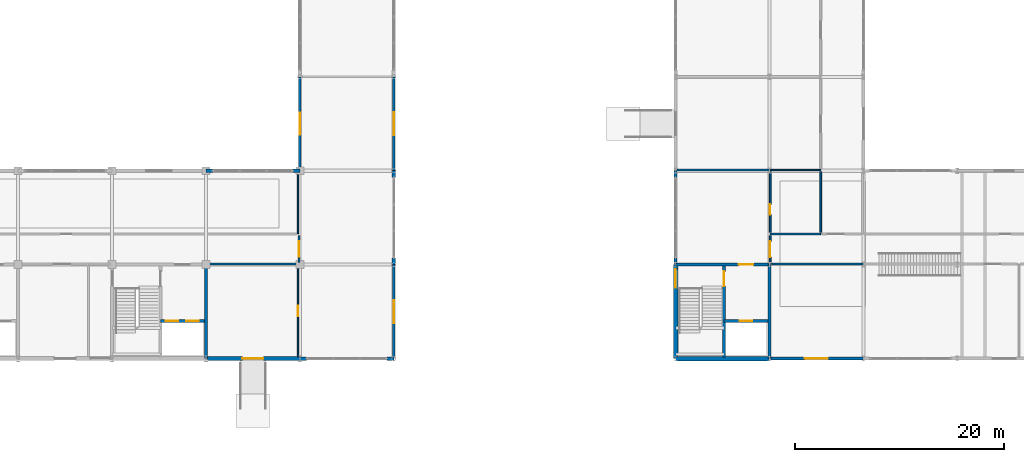
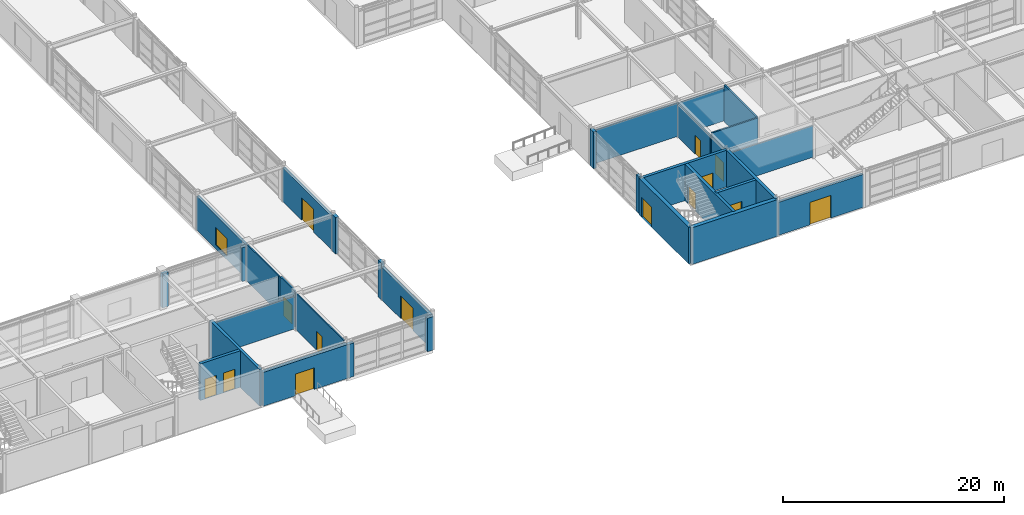
# One storey, part 58 of 72: 32 walls, 14 doors, 1 window, 15 openings.
"""IFC4 building model written with IfcOpenShell, lengths in metres."""

from ifc_helpers import new_model, si_unit, direction, frame, frame_2d, origin, place, context, subcontext, project, spatial, rectangle, extrude, material, layer, layer_set, type_object, element, fill, save


model = new_model("IFC4")

# Units and contexts
model_context = context("Model", 3, precision=1e-05, world=origin(), true_north=direction((0.0, 1.0)))
body_context = subcontext(model_context, "Body", "Model", "MODEL_VIEW")
ifc_project = project(units=[si_unit("LENGTHUNIT", "METRE"), si_unit("AREAUNIT", "SQUARE_METRE"), si_unit("VOLUMEUNIT", "CUBIC_METRE"), si_unit("PLANEANGLEUNIT", "RADIAN"), si_unit("MASSUNIT", "GRAM", prefix="KILO")], contexts=[model_context])

# Site, building, storey
site_placement = place(None, origin())
site = spatial("IfcSite", under=ifc_project, at=site_placement, CompositionType="ELEMENT")
building_placement = place(site_placement, origin())
building = spatial("IfcBuilding", under=site, at=building_placement, Name="Palais des Congres Ocreval", CompositionType="ELEMENT")
storey_placement = place(building_placement, origin())
storey = spatial("IfcBuildingStorey", under=building, at=storey_placement, Name="L00", CompositionType="ELEMENT", Elevation=0.0)

# Wall
ifc_material_1 = material(Name="Concrete C40/50", Category="concrete")
ifc_layer_1 = layer(ifc_material_1, 0.419921875)
ifc_layer_set_1 = layer_set([ifc_layer_1], Name="Congress Stone Facade Wall 420 Concrete C40/50")
wall_type_1 = type_object("IfcWallType", Name="Congress Stone Facade Wall 420 Concrete C40/50", PredefinedType="SOLIDWALL", material=ifc_layer_set_1)
wall_1_placement = place(storey_placement, frame((117.0, 0.0, 0.0), z_axis=(0.0, 0.0, 1.0), x_axis=(-1.0, 0.0, 0.0)))
element("IfcWall", 1, at=wall_1_placement, inside=storey, type_object=wall_type_1, Name="Core Perimeter Shear Wall EW02 SC09 L00", PredefinedType="SOLIDWALL", context=body_context, shape_type="SweptSolid", body=[
    extrude(rectangle(XDim=9.0, YDim=0.419921875, at=frame_2d((4.5, 0.0))), origin(), (0.0, 0.0, 1.0), 4.054931640625),
])

# Wall, opening, door
wall_2_placement = place(storey_placement, frame((108.0, 0.0, 0.0), z_axis=(0.0, 0.0, 1.0), x_axis=(0.0, 1.0, 0.0)))
wall_2 = element("IfcWall", 2, at=wall_2_placement, inside=storey, type_object=wall_type_1, Name="Core Perimeter Shear Wall EW02 SC09 L00", PredefinedType="SOLIDWALL", context=body_context, shape_type="SweptSolid", body=[
    extrude(rectangle(XDim=9.0, YDim=0.419921875, at=frame_2d((4.5, 0.0))), origin(), (0.0, 0.0, 1.0), 4.054931640625),
])
opening_1_placement = place(wall_2_placement, frame((6.77490234375, 0.0, 0.0)))
opening_1 = element("IfcOpeningElement", 3, at=opening_1_placement, cuts=wall_2, Name="Opening ED04", PredefinedType="OPENING", context=body_context, shape_type="SweptSolid", body=[
    extrude(rectangle(XDim=1.800048828125, YDim=2.199951171875, at=frame_2d((0.89990234375, 1.10009765625))), frame((0.0, 0.219970703125, 0.0), z_axis=(0.0, -1.0, 0.0), x_axis=(1.0, 0.0, 0.0)), (0.0, 0.0, 1.0), 0.43994140625),
])
ifc_material_2 = material(Name="Anodized bronze aluminium and safety glass", Category="aluminium")
door_type_1 = type_object("IfcDoorType", Name="Stair Street Discharge Door 1800x2200", OperationType="NOTDEFINED", PredefinedType="DOOR", material=ifc_material_2)
door_1_placement = place(opening_1_placement, origin())
door_1 = element("IfcDoor", 4, at=door_1_placement, inside=storey, type_object=door_type_1, Name="Stair Final Exit Discharge Door ST09", OperationType="DOUBLE_DOOR_SINGLE_SWING", OverallHeight=2.199951171875, OverallWidth=1.800048828125, PredefinedType="DOOR", context=body_context, shape_type="SweptSolid", body=[
    extrude(rectangle(XDim=1.800048828125, YDim=2.199951171875, at=frame_2d((0.89990234375, 1.10009765625))), frame((0.0, 0.02490234375, 0.0), z_axis=(0.0, -1.0, 0.0), x_axis=(1.0, 0.0, 0.0)), (0.0, 0.0, 1.0), 0.050048828125),
])
fill(opening_1, door_1)

# Wall
ifc_layer_2 = layer(ifc_material_1, 0.300048828125)
ifc_layer_set_2 = layer_set([ifc_layer_2], Name="Core Shear Wall 300 Concrete C40/50")
wall_type_2 = type_object("IfcWallType", Name="Core Shear Wall 300 Concrete C40/50", PredefinedType="SHEAR", material=ifc_layer_set_2)
wall_3_placement = place(storey_placement, frame((63.0, 0.0, 0.0), z_axis=(0.0, 0.0, 1.0), x_axis=(0.0, 1.0, 0.0)))
element("IfcWall", 5, at=wall_3_placement, inside=storey, type_object=wall_type_2, Name="Core Shear Wall SC04 L00 E", PredefinedType="SHEAR", context=body_context, shape_type="SweptSolid", body=[
    extrude(rectangle(XDim=9.0, YDim=0.300048828125, at=frame_2d((4.5, 0.0))), origin(), (0.0, 0.0, 1.0), 4.054931640625),
])

# Wall, openings, doors
wall_4_placement = place(storey_placement, frame((58.64990234375, 3.60009765625, 0.0), z_axis=(0.0, 0.0, 1.0), x_axis=(1.0, 0.0, 0.0)))
wall_4 = element("IfcWall", 6, at=wall_4_placement, inside=storey, type_object=wall_type_2, Name="Lift Shaft Front Wall SC04 L00", PredefinedType="SHEAR", context=body_context, shape_type="SweptSolid", body=[
    extrude(rectangle(XDim=4.2001953125, YDim=0.300048828125, at=frame_2d((2.10009765625, 0.0))), origin(), (0.0, 0.0, 1.0), 4.054931640625),
])
opening_2_placement = place(wall_4_placement, frame((0.5, 0.0, 0.0)))
opening_2 = element("IfcOpeningElement", 7, at=opening_2_placement, cuts=wall_4, Name="Opening LD02", PredefinedType="OPENING", context=body_context, shape_type="SweptSolid", body=[
    extrude(rectangle(XDim=1.199951171875, YDim=2.199951171875, at=frame_2d((0.60009765625, 1.10009765625))), frame((0.0, 0.159912109375, 0.0), z_axis=(0.0, -1.0, 0.0), x_axis=(1.0, 0.0, 0.0)), (0.0, 0.0, 1.0), 0.320068359375),
])
opening_3_placement = place(wall_4_placement, frame((2.449951171875, 0.0, 0.0)))
opening_3 = element("IfcOpeningElement", 8, at=opening_3_placement, cuts=wall_4, Name="Opening LD02", PredefinedType="OPENING", context=body_context, shape_type="SweptSolid", body=[
    extrude(rectangle(XDim=1.199951171875, YDim=2.199951171875, at=frame_2d((0.60009765625, 1.10009765625))), frame((0.0, 0.159912109375, 0.0), z_axis=(0.0, -1.0, 0.0), x_axis=(1.0, 0.0, 0.0)), (0.0, 0.0, 1.0), 0.320068359375),
])
ifc_material_3 = material(Name="Anodized bronze steel", Category="steel")
door_type_2 = type_object("IfcDoorType", Name="Passenger and Service Lift Sliding Door 1200x2200", OperationType="NOTDEFINED", PredefinedType="DOOR", material=ifc_material_3)
door_2_placement = place(opening_2_placement, origin())
door_2 = element("IfcDoor", 9, at=door_2_placement, inside=storey, type_object=door_type_2, Name="Lift Landing Sliding Door PL4 L00", OperationType="DOUBLE_DOOR_SLIDING", OverallHeight=2.199951171875, OverallWidth=1.199951171875, PredefinedType="DOOR", context=body_context, shape_type="SweptSolid", body=[
    extrude(rectangle(XDim=1.199951171875, YDim=2.199951171875, at=frame_2d((0.60009765625, 1.10009765625))), frame((0.0, 0.02490234375, 0.0), z_axis=(0.0, -1.0, 0.0), x_axis=(1.0, 0.0, 0.0)), (0.0, 0.0, 1.0), 0.050048828125),
])
fill(opening_2, door_2)
door_3_placement = place(opening_3_placement, origin())
door_3 = element("IfcDoor", 10, at=door_3_placement, inside=storey, type_object=door_type_2, Name="Lift Landing Sliding Door BL1 L00", OperationType="DOUBLE_DOOR_SLIDING", OverallHeight=2.199951171875, OverallWidth=1.199951171875, PredefinedType="DOOR", context=body_context, shape_type="SweptSolid", body=[
    extrude(rectangle(XDim=1.199951171875, YDim=2.199951171875, at=frame_2d((0.60009765625, 1.10009765625))), frame((0.0, 0.02490234375, 0.0), z_axis=(0.0, -1.0, 0.0), x_axis=(1.0, 0.0, 0.0)), (0.0, 0.0, 1.0), 0.050048828125),
])
fill(opening_3, door_3)

# Wall
wall_5_placement = place(storey_placement, frame((117.0, 0.0, 0.0), z_axis=(0.0, 0.0, 1.0), x_axis=(0.0, 1.0, 0.0)))
element("IfcWall", 11, at=wall_5_placement, inside=storey, type_object=wall_type_2, Name="Core Shear Wall SC09 L00 E", PredefinedType="SHEAR", context=body_context, shape_type="SweptSolid", body=[
    extrude(rectangle(XDim=9.0, YDim=0.300048828125, at=frame_2d((4.5, 0.0))), origin(), (0.0, 0.0, 1.0), 4.054931640625),
])

# Wall, opening, door
wall_6_placement = place(storey_placement, frame((108.0, 9.0, 0.0), z_axis=(0.0, 0.0, 1.0), x_axis=(1.0, 0.0, 0.0)))
wall_6 = element("IfcWall", 12, at=wall_6_placement, inside=storey, type_object=wall_type_2, Name="Core Shear Wall SC09 L00 N", PredefinedType="SHEAR", context=body_context, shape_type="SweptSolid", body=[
    extrude(rectangle(XDim=9.0, YDim=0.300048828125, at=frame_2d((4.5, 0.0))), origin(), (0.0, 0.0, 1.0), 4.054931640625),
])
opening_4_placement = place(wall_6_placement, frame((6.050048828125, 0.0, 0.0)))
opening_4 = element("IfcOpeningElement", 13, at=opening_4_placement, cuts=wall_6, Name="Opening D03", PredefinedType="OPENING", context=body_context, shape_type="SweptSolid", body=[
    extrude(rectangle(XDim=1.39990234375, YDim=2.02001953125, at=frame_2d((0.699951171875, 1.010009765625))), frame((0.0, 0.159912109375, 0.0), z_axis=(0.0, -1.0, 0.0), x_axis=(1.0, 0.0, 0.0)), (0.0, 0.0, 1.0), 0.320068359375),
])
ifc_material_4 = material(Name="Painted fire-rated steel", Category="steel")
door_type_3 = type_object("IfcDoorType", Name="Core Lobby Rated Door 1400x2020", OperationType="NOTDEFINED", PredefinedType="DOOR", material=ifc_material_4)
door_4_placement = place(opening_4_placement, origin())
door_4 = element("IfcDoor", 14, at=door_4_placement, inside=storey, type_object=door_type_3, Name="Lobby Entrance Door SC09 L00", OperationType="DOUBLE_DOOR_SINGLE_SWING", OverallHeight=2.02001953125, OverallWidth=1.39990234375, PredefinedType="DOOR", context=body_context, shape_type="SweptSolid", body=[
    extrude(rectangle(XDim=1.39990234375, YDim=2.02001953125, at=frame_2d((0.699951171875, 1.010009765625))), frame((0.0, 0.02490234375, 0.0), z_axis=(0.0, -1.0, 0.0), x_axis=(1.0, 0.0, 0.0)), (0.0, 0.0, 1.0), 0.050048828125),
])
fill(opening_4, door_4)

wall_7_placement = place(storey_placement, frame((112.64990234375, 0.14990234375, 0.0), z_axis=(0.0, 0.0, 1.0), x_axis=(0.0, 1.0, 0.0)))
wall_7 = element("IfcWall", 15, at=wall_7_placement, inside=storey, type_object=wall_type_2, Name="Core Spine Shear Wall SC09 L00", PredefinedType="SHEAR", context=body_context, shape_type="SweptSolid", body=[
    extrude(rectangle(XDim=8.7001953125, YDim=0.300048828125, at=frame_2d((4.35009765625, 0.0))), origin(), (0.0, 0.0, 1.0), 4.054931640625),
])
opening_5_placement = place(wall_7_placement, frame((6.800048828125, 0.0, 0.0)))
opening_5 = element("IfcOpeningElement", 16, at=opening_5_placement, cuts=wall_7, Name="Opening D03", PredefinedType="OPENING", context=body_context, shape_type="SweptSolid", body=[
    extrude(rectangle(XDim=1.39990234375, YDim=2.02001953125, at=frame_2d((0.699951171875, 1.010009765625))), frame((0.0, 0.159912109375, 0.0), z_axis=(0.0, -1.0, 0.0), x_axis=(1.0, 0.0, 0.0)), (0.0, 0.0, 1.0), 0.320068359375),
])
door_5_placement = place(opening_5_placement, origin())
door_5 = element("IfcDoor", 17, at=door_5_placement, inside=storey, type_object=door_type_3, Name="Protected Exit Stair Door ST09 L00", OperationType="SINGLE_SWING_LEFT", OverallHeight=2.02001953125, OverallWidth=1.39990234375, PredefinedType="DOOR", context=body_context, shape_type="SweptSolid", body=[
    extrude(rectangle(XDim=1.39990234375, YDim=2.02001953125, at=frame_2d((0.699951171875, 1.010009765625))), frame((0.0, 0.02490234375, 0.0), z_axis=(0.0, -1.0, 0.0), x_axis=(1.0, 0.0, 0.0)), (0.0, 0.0, 1.0), 0.050048828125),
])
fill(opening_5, door_5)

wall_8_placement = place(storey_placement, frame((112.64990234375, 3.60009765625, 0.0), z_axis=(0.0, 0.0, 1.0), x_axis=(1.0, 0.0, 0.0)))
wall_8 = element("IfcWall", 18, at=wall_8_placement, inside=storey, type_object=wall_type_2, Name="Lift Shaft Front Wall SC09 L00", PredefinedType="SHEAR", context=body_context, shape_type="SweptSolid", body=[
    extrude(rectangle(XDim=4.2001953125, YDim=0.300048828125, at=frame_2d((2.10009765625, 0.0))), origin(), (0.0, 0.0, 1.0), 4.054931640625),
])
opening_6_placement = place(wall_8_placement, frame((1.5, 0.0, 0.0)))
opening_6 = element("IfcOpeningElement", 19, at=opening_6_placement, cuts=wall_8, Name="Opening LD02", PredefinedType="OPENING", context=body_context, shape_type="SweptSolid", body=[
    extrude(rectangle(XDim=1.199951171875, YDim=2.199951171875, at=frame_2d((0.60009765625, 1.10009765625))), frame((0.0, 0.159912109375, 0.0), z_axis=(0.0, -1.0, 0.0), x_axis=(1.0, 0.0, 0.0)), (0.0, 0.0, 1.0), 0.320068359375),
])
door_6_placement = place(opening_6_placement, origin())
door_6 = element("IfcDoor", 20, at=door_6_placement, inside=storey, type_object=door_type_2, Name="Lift Landing Sliding Door CL3 L00", OperationType="DOUBLE_DOOR_SLIDING", OverallHeight=2.199951171875, OverallWidth=1.199951171875, PredefinedType="DOOR", context=body_context, shape_type="SweptSolid", body=[
    extrude(rectangle(XDim=1.199951171875, YDim=2.199951171875, at=frame_2d((0.60009765625, 1.10009765625))), frame((0.0, 0.02490234375, 0.0), z_axis=(0.0, -1.0, 0.0), x_axis=(1.0, 0.0, 0.0)), (0.0, 0.0, 1.0), 0.050048828125),
])
fill(opening_6, door_6)

# Walls
ifc_material_5 = material(Name="Gypsum acoustic partition")
ifc_layer_3 = layer(ifc_material_5, 0.159912109375)
ifc_layer_set_3 = layer_set([ifc_layer_3], Name="Corridor Fire Partition 160 Gypsum (Gypsum acoustic partition)")
wall_type_3 = type_object("IfcWallType", Name="Corridor Fire Partition 160 Gypsum", PredefinedType="PARTITIONING", material=ifc_layer_set_3)
wall_9_placement = place(storey_placement, frame((63.155029296875, 9.06494140625, 0.0), z_axis=(0.0, 0.0, 1.0), x_axis=(1.0, 0.0, 0.0)))
element("IfcWall", 21, at=wall_9_placement, inside=storey, type_object=wall_type_3, Name="Interior Partition IW03 L00", PredefinedType="PARTITIONING", context=body_context, shape_type="SweptSolid", body=[
    extrude(rectangle(XDim=8.574951171875, YDim=0.159912109375, at=frame_2d((4.28759765625, 0.0))), origin(), (0.0, 0.0, 1.0), 3.614990234375),
])
wall_10_placement = place(storey_placement, frame((108.14501953125, 18.06494140625, 0.0), z_axis=(0.0, 0.0, 1.0), x_axis=(1.0, 0.0, 0.0)))
element("IfcWall", 22, at=wall_10_placement, inside=storey, type_object=wall_type_3, Name="Interior Partition IW03 L00", PredefinedType="PARTITIONING", context=body_context, shape_type="SweptSolid", body=[
    extrude(rectangle(XDim=8.9150390625, YDim=0.159912109375, at=frame_2d((4.45751953125, 0.0))), origin(), (0.0, 0.0, 1.0), 3.695068359375),
])
wall_11_placement = place(storey_placement, frame((117.070068359375, 11.93505859375, 0.0), z_axis=(0.0, 0.0, 1.0), x_axis=(1.0, 0.0, 0.0)))
element("IfcWall", 23, at=wall_11_placement, inside=storey, type_object=wall_type_3, Name="Interior Partition IW03 L00", PredefinedType="PARTITIONING", context=body_context, shape_type="SweptSolid", body=[
    extrude(rectangle(XDim=4.829833984375, YDim=0.159912109375, at=frame_2d((2.4150390625, 0.0))), origin(), (0.0, 0.0, 1.0), 4.054931640625),
])
wall_12_placement = place(storey_placement, frame((121.909912109375, 12.090087890625, 0.0), z_axis=(0.0, 0.0, 1.0), x_axis=(0.0, 1.0, 0.0)))
element("IfcWall", 24, at=wall_12_placement, inside=storey, type_object=wall_type_3, Name="Interior Partition IW03 L00", PredefinedType="PARTITIONING", context=body_context, shape_type="SweptSolid", body=[
    extrude(rectangle(XDim=5.81982421875, YDim=0.159912109375, at=frame_2d((2.909912109375, 0.0))), origin(), (0.0, 0.0, 1.0), 4.054931640625),
])

# Wall, opening, door
wall_13_placement = place(storey_placement, frame((71.909912109375, 9.219970703125, 0.0), z_axis=(0.0, 0.0, 1.0), x_axis=(0.0, 1.0, 0.0)))
wall_13 = element("IfcWall", 25, at=wall_13_placement, inside=storey, type_object=wall_type_3, Name="Interior Partition IW03 L00", PredefinedType="PARTITIONING", context=body_context, shape_type="SweptSolid", body=[
    extrude(rectangle(XDim=2.56005859375, YDim=0.159912109375, at=frame_2d((1.280029296875, 0.0))), origin(), (0.0, 0.0, 1.0), 4.054931640625),
])
opening_7_placement = place(wall_13_placement, frame((0.530029296875, 0.0, 0.0)))
opening_7 = element("IfcOpeningElement", 26, at=opening_7_placement, cuts=wall_13, Name="Opening D04", PredefinedType="OPENING", context=body_context, shape_type="SweptSolid", body=[
    extrude(rectangle(XDim=1.5, YDim=2.10009765625, at=frame_2d((0.75, 1.050048828125))), frame((0.0, 0.08984375, 0.0), z_axis=(0.0, -1.0, 0.0), x_axis=(1.0, 0.0, 0.0)), (0.0, 0.0, 1.0), 0.179931640625),
])
ifc_material_6 = material(Name="Solid French oak fire door", Category="wood")
door_type_4 = type_object("IfcDoorType", Name="Corridor Compartment Double Door 1500x2100", OperationType="NOTDEFINED", PredefinedType="DOOR", material=ifc_material_6)
door_7_placement = place(opening_7_placement, origin())
door_7 = element("IfcDoor", 27, at=door_7_placement, inside=storey, type_object=door_type_4, Name="Interior Door D04 L00", OperationType="DOUBLE_DOOR_SINGLE_SWING", OverallHeight=2.10009765625, OverallWidth=1.5, PredefinedType="DOOR", context=body_context, shape_type="SweptSolid", body=[
    extrude(rectangle(XDim=1.5, YDim=2.10009765625, at=frame_2d((0.75, 1.050048828125))), frame((0.0, 0.02490234375, 0.0), z_axis=(0.0, -1.0, 0.0), x_axis=(1.0, 0.0, 0.0)), (0.0, 0.0, 1.0), 0.050048828125),
])
fill(opening_7, door_7)

wall_14_placement = place(storey_placement, frame((117.06494140625, 9.155029296875, 0.0), z_axis=(0.0, 0.0, 1.0), x_axis=(0.0, 1.0, 0.0)))
wall_14 = element("IfcWall", 28, at=wall_14_placement, inside=storey, type_object=wall_type_3, Name="Interior Partition IW03 L00", PredefinedType="PARTITIONING", context=body_context, shape_type="SweptSolid", body=[
    extrude(rectangle(XDim=2.625, YDim=0.159912109375, at=frame_2d((1.3125, 0.0))), origin(), (0.0, 0.0, 1.0), 3.6650390625),
])
opening_8_placement = place(wall_14_placement, frame((0.5625, 0.0, 0.0)))
opening_8 = element("IfcOpeningElement", 29, at=opening_8_placement, cuts=wall_14, Name="Opening D04", PredefinedType="OPENING", context=body_context, shape_type="SweptSolid", body=[
    extrude(rectangle(XDim=1.5, YDim=2.10009765625, at=frame_2d((0.75, 1.050048828125))), frame((0.0, 0.08984375, 0.0), z_axis=(0.0, -1.0, 0.0), x_axis=(1.0, 0.0, 0.0)), (0.0, 0.0, 1.0), 0.179931640625),
])
door_8_placement = place(opening_8_placement, origin())
door_8 = element("IfcDoor", 30, at=door_8_placement, inside=storey, type_object=door_type_4, Name="Interior Door D04 L00", OperationType="DOUBLE_DOOR_SINGLE_SWING", OverallHeight=2.10009765625, OverallWidth=1.5, PredefinedType="DOOR", context=body_context, shape_type="SweptSolid", body=[
    extrude(rectangle(XDim=1.5, YDim=2.10009765625, at=frame_2d((0.75, 1.050048828125))), frame((0.0, 0.02490234375, 0.0), z_axis=(0.0, -1.0, 0.0), x_axis=(1.0, 0.0, 0.0)), (0.0, 0.0, 1.0), 0.050048828125),
])
fill(opening_8, door_8)

wall_15_placement = place(storey_placement, frame((117.06494140625, 12.090087890625, 0.0), z_axis=(0.0, 0.0, 1.0), x_axis=(0.0, 1.0, 0.0)))
wall_15 = element("IfcWall", 31, at=wall_15_placement, inside=storey, type_object=wall_type_3, Name="Interior Partition IW03 L00", PredefinedType="PARTITIONING", context=body_context, shape_type="SweptSolid", body=[
    extrude(rectangle(XDim=5.81982421875, YDim=0.159912109375, at=frame_2d((2.909912109375, 0.0))), origin(), (0.0, 0.0, 1.0), 3.6650390625),
])
opening_9_placement = place(wall_15_placement, frame((1.711669921875, 0.0, 0.0)))
opening_9 = element("IfcOpeningElement", 32, at=opening_9_placement, cuts=wall_15, Name="Opening D10", PredefinedType="OPENING", context=body_context, shape_type="SweptSolid", body=[
    extrude(rectangle(XDim=1.0, YDim=2.10009765625, at=frame_2d((0.5, 1.050048828125))), frame((0.0, 0.08984375, 0.0), z_axis=(0.0, -1.0, 0.0), x_axis=(1.0, 0.0, 0.0)), (0.0, 0.0, 1.0), 0.179931640625),
])
ifc_material_7 = material(Name="Painted steel", Category="steel")
door_type_5 = type_object("IfcDoorType", Name="Service and Pantry Door 1000x2100", OperationType="NOTDEFINED", PredefinedType="DOOR", material=ifc_material_7)
door_9_placement = place(opening_9_placement, origin())
door_9 = element("IfcDoor", 33, at=door_9_placement, inside=storey, type_object=door_type_5, Name="Interior Door D10 L00", OperationType="SINGLE_SWING_LEFT", OverallHeight=2.10009765625, OverallWidth=1.0, PredefinedType="DOOR", context=body_context, shape_type="SweptSolid", body=[
    extrude(rectangle(XDim=1.0, YDim=2.10009765625, at=frame_2d((0.5, 1.050048828125))), frame((0.0, 0.02490234375, 0.0), z_axis=(0.0, -1.0, 0.0), x_axis=(1.0, 0.0, 0.0)), (0.0, 0.0, 1.0), 0.050048828125),
])
fill(opening_9, door_9)

# Wall
wall_16_placement = place(storey_placement, frame((117.219970703125, 9.06494140625, 0.0), z_axis=(0.0, 0.0, 1.0), x_axis=(1.0, 0.0, 0.0)))
element("IfcWall", 34, at=wall_16_placement, inside=storey, type_object=wall_type_3, Name="Interior Partition IW03 L00", PredefinedType="PARTITIONING", context=body_context, shape_type="SweptSolid", body=[
    extrude(rectangle(XDim=8.760009765625, YDim=0.159912109375, at=frame_2d((4.3798828125, 0.0))), origin(), (0.0, 0.0, 1.0), 3.5048828125),
])

# Wall, opening, door
ifc_layer_4 = layer(ifc_material_1, 0.3798828125)
ifc_layer_set_4 = layer_set([ifc_layer_4], Name="Lutetian Limestone Street Wall 380 Concrete C40/50")
wall_type_4 = type_object("IfcWallType", Name="Lutetian Limestone Street Wall 380 Concrete C40/50", PredefinedType="SOLIDWALL", material=ifc_layer_set_4)
wall_17_placement = place(storey_placement, frame((72.0, 0.0, 0.0), z_axis=(0.0, 0.0, 1.0), x_axis=(-1.0, 0.0, 0.0)))
wall_17 = element("IfcWall", 35, at=wall_17_placement, inside=storey, type_object=wall_type_4, Name="Exterior Wall EW03 L00", PredefinedType="SOLIDWALL", context=body_context, shape_type="SweptSolid", body=[
    extrude(rectangle(XDim=8.8701171875, YDim=0.3798828125, at=frame_2d((4.43505859375, 0.0))), origin(), (0.0, 0.0, 1.0), 3.7548828125),
])
opening_10_placement = place(wall_17_placement, frame((3.5, 0.0, 0.0)))
opening_10 = element("IfcOpeningElement", 36, at=opening_10_placement, cuts=wall_17, Name="Opening ED01", PredefinedType="OPENING", context=body_context, shape_type="SweptSolid", body=[
    extrude(rectangle(XDim=2.0, YDim=2.39990234375, at=frame_2d((1.0, 1.199951171875))), frame((0.0, 0.199951171875, 0.0), z_axis=(0.0, -1.0, 0.0), x_axis=(1.0, 0.0, 0.0)), (0.0, 0.0, 1.0), 0.39990234375),
])
door_type_6 = type_object("IfcDoorType", Name="Main Street Pedestrian Exit Door 2000x2400", OperationType="NOTDEFINED", PredefinedType="DOOR", material=ifc_material_2)
door_10_placement = place(opening_10_placement, origin())
door_10 = element("IfcDoor", 37, at=door_10_placement, inside=storey, type_object=door_type_6, Name="Pedestrian Final Exit Door E01", OperationType="DOUBLE_DOOR_SINGLE_SWING", OverallHeight=2.39990234375, OverallWidth=2.0, PredefinedType="DOOR", context=body_context, shape_type="SweptSolid", body=[
    extrude(rectangle(XDim=2.0, YDim=2.39990234375, at=frame_2d((1.0, 1.199951171875))), frame((0.0, 0.02490234375, 0.0), z_axis=(0.0, -1.0, 0.0), x_axis=(1.0, 0.0, 0.0)), (0.0, 0.0, 1.0), 0.050048828125),
])
fill(opening_10, door_10)

# Walls
ifc_layer_5 = layer(ifc_material_1, 0.340087890625)
ifc_layer_set_5 = layer_set([ifc_layer_5], Name="Ochre Mineral-Lime Courtyard Wall 340 Concrete C40/50")
wall_type_5 = type_object("IfcWallType", Name="Ochre Mineral-Lime Courtyard Wall 340 Concrete C40/50", PredefinedType="SOLIDWALL", material=ifc_layer_set_5)
for number, where, z_axis, x_axis, name in (
    (38, (81.0, 18.0, 0.0), (0.0, 0.0, 1.0), (0.0, -1.0, 0.0), "Facade Pier EW04 L00"),
    (39, (81.0, 9.64990234375, 0.0), (0.0, 0.0, 1.0), (0.0, -1.0, 0.0), "Facade Pier EW04 L00"),
):
    element("IfcWall", number, at=place(storey_placement, frame(where, z_axis=z_axis, x_axis=x_axis)), inside=storey, type_object=wall_type_5, Name=name, PredefinedType="SOLIDWALL", context=body_context, shape_type="SweptSolid", body=[
        extrude(rectangle(XDim=0.64990234375, YDim=0.340087890625, at=frame_2d((0.324951171875, 0.0))), origin(), (0.0, 0.0, 1.0), 4.054931640625),
    ])
for number, where, z_axis, x_axis, name in (
    (40, (81.0, 0.0, 0.0), (0.0, 0.0, 1.0), (-1.0, 0.0, 0.0), "Facade Pier EW04 L00"),
    (41, (72.64990234375, 0.0, 0.0), (0.0, 0.0, 1.0), (-1.0, 0.0, 0.0), "Facade Pier EW04 L00"),
):
    element("IfcWall", number, at=place(storey_placement, frame(where, z_axis=z_axis, x_axis=x_axis)), inside=storey, type_object=wall_type_5, Name=name, PredefinedType="SOLIDWALL", context=body_context, shape_type="SweptSolid", body=[
        extrude(rectangle(XDim=0.64990234375, YDim=0.340087890625, at=frame_2d((0.324951171875, 0.0))), origin(), (0.0, 0.0, 1.0), 3.695068359375),
    ])
for number, where, z_axis, x_axis, name in (
    (42, (63.0, 18.0, 0.0), (0.0, 0.0, 1.0), (1.0, 0.0, 0.0), "Facade Pier EW04 L00"),
    (43, (71.35009765625, 18.0, 0.0), (0.0, 0.0, 1.0), (1.0, 0.0, 0.0), "Facade Pier EW04 L00"),
):
    element("IfcWall", number, at=place(storey_placement, frame(where, z_axis=z_axis, x_axis=x_axis)), inside=storey, type_object=wall_type_5, Name=name, PredefinedType="SOLIDWALL", context=body_context, shape_type="SweptSolid", body=[
        extrude(rectangle(XDim=0.64990234375, YDim=0.340087890625, at=frame_2d((0.324951171875, 0.0))), origin(), (0.0, 0.0, 1.0), 3.7548828125),
    ])

# Wall, opening, door
ifc_layer_6 = layer(ifc_material_1, 0.260009765625)
ifc_layer_set_6 = layer_set([ifc_layer_6], Name="Sawtooth Clerestory Wall 260 Concrete C40/50")
wall_type_6 = type_object("IfcWallType", Name="Sawtooth Clerestory Wall 260 Concrete C40/50", PredefinedType="SOLIDWALL", material=ifc_layer_set_6)
wall_18_placement = place(storey_placement, frame((81.0, 27.0, 0.0), z_axis=(0.0, 0.0, 1.0), x_axis=(0.0, -1.0, 0.0)))
wall_18 = element("IfcWall", 44, at=wall_18_placement, inside=storey, type_object=wall_type_6, Name="Exterior Wall EW06 L00", PredefinedType="SOLIDWALL", context=body_context, shape_type="SweptSolid", body=[
    extrude(rectangle(XDim=9.0, YDim=0.260009765625, at=frame_2d((4.5, 0.0))), origin(), (0.0, 0.0, 1.0), 3.7548828125),
])
opening_11_placement = place(wall_18_placement, frame((3.39990234375, 0.0, 0.0)))
opening_11 = element("IfcOpeningElement", 45, at=opening_11_placement, cuts=wall_18, Name="Opening ED02", PredefinedType="OPENING", context=body_context, shape_type="SweptSolid", body=[
    extrude(rectangle(XDim=2.199951171875, YDim=2.5, at=frame_2d((1.10009765625, 1.25))), frame((0.0, 0.139892578125, 0.0), z_axis=(0.0, -1.0, 0.0), x_axis=(1.0, 0.0, 0.0)), (0.0, 0.0, 1.0), 0.280029296875),
])
door_type_7 = type_object("IfcDoorType", Name="Congress Grand Final Exit Door 2200x2500", OperationType="NOTDEFINED", PredefinedType="DOOR", material=ifc_material_2)
door_11_placement = place(opening_11_placement, origin())
door_11 = element("IfcDoor", 46, at=door_11_placement, inside=storey, type_object=door_type_7, Name="Pedestrian Final Exit Door E39", OperationType="DOUBLE_DOOR_SINGLE_SWING", OverallHeight=2.5, OverallWidth=2.199951171875, PredefinedType="DOOR", context=body_context, shape_type="SweptSolid", body=[
    extrude(rectangle(XDim=2.199951171875, YDim=2.5, at=frame_2d((1.10009765625, 1.25))), frame((0.0, 0.02490234375, 0.0), z_axis=(0.0, -1.0, 0.0), x_axis=(1.0, 0.0, 0.0)), (0.0, 0.0, 1.0), 0.050048828125),
])
fill(opening_11, door_11)

wall_19_placement = place(storey_placement, frame((81.0, 9.0, 0.0), z_axis=(0.0, 0.0, 1.0), x_axis=(0.0, -1.0, 0.0)))
wall_19 = element("IfcWall", 47, at=wall_19_placement, inside=storey, type_object=wall_type_6, Name="Exterior Wall EW06 L00", PredefinedType="SOLIDWALL", context=body_context, shape_type="SweptSolid", body=[
    extrude(rectangle(XDim=8.844970703125, YDim=0.260009765625, at=frame_2d((4.42236328125, 0.0))), origin(), (0.0, 0.0, 1.0), 3.655029296875),
])
opening_12_placement = place(wall_19_placement, frame((3.39990234375, 0.0, 0.0)))
opening_12 = element("IfcOpeningElement", 48, at=opening_12_placement, cuts=wall_19, Name="Opening ED02", PredefinedType="OPENING", context=body_context, shape_type="SweptSolid", body=[
    extrude(rectangle(XDim=2.199951171875, YDim=2.5, at=frame_2d((1.10009765625, 1.25))), frame((0.0, 0.139892578125, 0.0), z_axis=(0.0, -1.0, 0.0), x_axis=(1.0, 0.0, 0.0)), (0.0, 0.0, 1.0), 0.280029296875),
])
door_12_placement = place(opening_12_placement, origin())
door_12 = element("IfcDoor", 49, at=door_12_placement, inside=storey, type_object=door_type_7, Name="Pedestrian Final Exit Door E40", OperationType="DOUBLE_DOOR_SINGLE_SWING", OverallHeight=2.5, OverallWidth=2.199951171875, PredefinedType="DOOR", context=body_context, shape_type="SweptSolid", body=[
    extrude(rectangle(XDim=2.199951171875, YDim=2.5, at=frame_2d((1.10009765625, 1.25))), frame((0.0, 0.02490234375, 0.0), z_axis=(0.0, -1.0, 0.0), x_axis=(1.0, 0.0, 0.0)), (0.0, 0.0, 1.0), 0.050048828125),
])
fill(opening_12, door_12)

# Wall, opening, window
wall_20_placement = place(storey_placement, frame((72.0, 18.155029296875, 0.0), z_axis=(0.0, 0.0, 1.0), x_axis=(0.0, 1.0, 0.0)))
wall_20 = element("IfcWall", 50, at=wall_20_placement, inside=storey, type_object=wall_type_6, Name="Exterior Wall EW06 L00", PredefinedType="SOLIDWALL", context=body_context, shape_type="SweptSolid", body=[
    extrude(rectangle(XDim=8.844970703125, YDim=0.260009765625, at=frame_2d((4.42236328125, 0.0))), origin(), (0.0, 0.0, 1.0), 3.7548828125),
])
opening_13_placement = place(wall_20_placement, frame((3.294921875, 0.0, 0.39990234375)))
opening_13 = element("IfcOpeningElement", 51, at=opening_13_placement, cuts=wall_20, Name="Opening WN05", PredefinedType="OPENING", context=body_context, shape_type="SweptSolid", body=[
    extrude(rectangle(XDim=2.10009765625, YDim=1.949951171875, at=frame_2d((1.050048828125, 0.97509765625))), frame((0.0, 0.139892578125, 0.0), z_axis=(0.0, -1.0, 0.0), x_axis=(1.0, 0.0, 0.0)), (0.0, 0.0, 1.0), 0.280029296875),
])
ifc_material_8 = material(Name="Anodized bronze aluminium and low-E glass", Category="glass")
window_type = type_object("IfcWindowType", Name="Junior Suite Window 2100x1950", PartitioningType="SINGLE_PANEL", PredefinedType="WINDOW", material=ifc_material_8)
window_placement = place(opening_13_placement, origin())
window = element("IfcWindow", 52, at=window_placement, inside=storey, type_object=window_type, Name="Facade Window WN05", OverallHeight=1.949951171875, OverallWidth=2.10009765625, PartitioningType="SINGLE_PANEL", PredefinedType="WINDOW", context=body_context, shape_type="SweptSolid", body=[
    extrude(rectangle(XDim=2.10009765625, YDim=1.949951171875, at=frame_2d((1.050048828125, 0.97509765625))), frame((0.0, 0.030029296875, 0.0), z_axis=(0.0, -1.0, 0.0), x_axis=(1.0, 0.0, 0.0)), (0.0, 0.0, 1.0), 0.06005859375),
])
fill(opening_13, window)

# Walls
ifc_material_9 = material(Name="Gypsum board partition")
ifc_layer_7 = layer(ifc_material_9, 0.1201171875)
ifc_layer_set_7 = layer_set([ifc_layer_7], Name="Suite Subdivision Partition 120 Gypsum (Gypsum board partition)")
wall_type_7 = type_object("IfcWallType", Name="Suite Subdivision Partition 120 Gypsum", PredefinedType="PARTITIONING", material=ifc_layer_set_7)
wall_21_placement = place(storey_placement, frame((71.824951171875, 11.93994140625, 0.0), z_axis=(0.0, 0.0, 1.0), x_axis=(0.0, 1.0, 0.0)))
element("IfcWall", 53, at=wall_21_placement, inside=storey, type_object=wall_type_7, Name="Interior Partition IW04 L00", PredefinedType="PARTITIONING", context=body_context, shape_type="SweptSolid", body=[
    extrude(rectangle(XDim=5.885009765625, YDim=0.1201171875, at=frame_2d((2.9423828125, 0.0))), origin(), (0.0, 0.0, 1.0), 4.054931640625),
])
wall_22_placement = place(storey_placement, frame((117.070068359375, 18.06494140625, 0.0), z_axis=(0.0, 0.0, 1.0), x_axis=(1.0, 0.0, 0.0)))
element("IfcWall", 54, at=wall_22_placement, inside=storey, type_object=wall_type_7, Name="Interior Partition IW04 L00", PredefinedType="PARTITIONING", context=body_context, shape_type="SweptSolid", body=[
    extrude(rectangle(XDim=4.829833984375, YDim=0.1201171875, at=frame_2d((2.4150390625, 0.0))), origin(), (0.0, 0.0, 1.0), 3.655029296875),
])

# Wall, opening, door
wall_23_placement = place(storey_placement, frame((71.824951171875, 0.175048828125, 0.0), z_axis=(0.0, 0.0, 1.0), x_axis=(0.0, 1.0, 0.0)))
wall_23 = element("IfcWall", 55, at=wall_23_placement, inside=storey, type_object=wall_type_7, Name="Interior Partition IW04 L00", PredefinedType="PARTITIONING", context=body_context, shape_type="SweptSolid", body=[
    extrude(rectangle(XDim=8.73486328125, YDim=0.1201171875, at=frame_2d((4.367431640625, 0.0))), origin(), (0.0, 0.0, 1.0), 4.054931640625),
])
opening_14_placement = place(wall_23_placement, frame((3.867431640625, 0.0, 0.0)))
opening_14 = element("IfcOpeningElement", 56, at=opening_14_placement, cuts=wall_23, Name="Opening D10", PredefinedType="OPENING", context=body_context, shape_type="SweptSolid", body=[
    extrude(rectangle(XDim=1.0, YDim=2.10009765625, at=frame_2d((0.5, 1.050048828125))), frame((0.0, 0.070068359375, 0.0), z_axis=(0.0, -1.0, 0.0), x_axis=(1.0, 0.0, 0.0)), (0.0, 0.0, 1.0), 0.14013671875),
])
door_13_placement = place(opening_14_placement, origin())
door_13 = element("IfcDoor", 57, at=door_13_placement, inside=storey, type_object=door_type_5, Name="Interior Door D10 L00", OperationType="SINGLE_SWING_LEFT", OverallHeight=2.10009765625, OverallWidth=1.0, PredefinedType="DOOR", context=body_context, shape_type="SweptSolid", body=[
    extrude(rectangle(XDim=1.0, YDim=2.10009765625, at=frame_2d((0.5, 1.050048828125))), frame((0.0, 0.02490234375, 0.0), z_axis=(0.0, -1.0, 0.0), x_axis=(1.0, 0.0, 0.0)), (0.0, 0.0, 1.0), 0.050048828125),
])
fill(opening_14, door_13)

ifc_layer_8 = layer(ifc_material_1, 0.280029296875)
ifc_layer_set_8 = layer_set([ifc_layer_8], Name="Terracotta Mineral-Lime Facade Wall 280 Concrete C40/50")
wall_type_8 = type_object("IfcWallType", Name="Terracotta Mineral-Lime Facade Wall 280 Concrete C40/50", PredefinedType="SOLIDWALL", material=ifc_layer_set_8)
wall_24_placement = place(storey_placement, frame((126.0, 0.0, 0.0), z_axis=(0.0, 0.0, 1.0), x_axis=(-1.0, 0.0, 0.0)))
wall_24 = element("IfcWall", 58, at=wall_24_placement, inside=storey, type_object=wall_type_8, Name="Exterior Wall EW05 L00", PredefinedType="SOLIDWALL", context=body_context, shape_type="SweptSolid", body=[
    extrude(rectangle(XDim=8.8701171875, YDim=0.280029296875, at=frame_2d((4.43505859375, 0.0))), origin(), (0.0, 0.0, 1.0), 3.655029296875),
])
opening_15_placement = place(wall_24_placement, frame((3.39990234375, 0.0, 0.0)))
opening_15 = element("IfcOpeningElement", 59, at=opening_15_placement, cuts=wall_24, Name="Opening ED02", PredefinedType="OPENING", context=body_context, shape_type="SweptSolid", body=[
    extrude(rectangle(XDim=2.199951171875, YDim=2.5, at=frame_2d((1.10009765625, 1.25))), frame((0.0, 0.14990234375, 0.0), z_axis=(0.0, -1.0, 0.0), x_axis=(1.0, 0.0, 0.0)), (0.0, 0.0, 1.0), 0.300048828125),
])
door_14_placement = place(opening_15_placement, origin())
door_14 = element("IfcDoor", 60, at=door_14_placement, inside=storey, type_object=door_type_7, Name="Pedestrian Final Exit Door E32", OperationType="DOUBLE_DOOR_SINGLE_SWING", OverallHeight=2.5, OverallWidth=2.199951171875, PredefinedType="DOOR", context=body_context, shape_type="SweptSolid", body=[
    extrude(rectangle(XDim=2.199951171875, YDim=2.5, at=frame_2d((1.10009765625, 1.25))), frame((0.0, 0.02490234375, 0.0), z_axis=(0.0, -1.0, 0.0), x_axis=(1.0, 0.0, 0.0)), (0.0, 0.0, 1.0), 0.050048828125),
])
fill(opening_15, door_14)

# Walls
wall_25_placement = place(storey_placement, frame((108.0, 9.1298828125, 0.0), z_axis=(0.0, 0.0, 1.0), x_axis=(0.0, 1.0, 0.0)))
element("IfcWall", 61, at=wall_25_placement, inside=storey, type_object=wall_type_8, Name="Facade Pier EW05 L00", PredefinedType="SOLIDWALL", context=body_context, shape_type="SweptSolid", body=[
    extrude(rectangle(XDim=0.52001953125, YDim=0.280029296875, at=frame_2d((0.260009765625, 0.0))), origin(), (0.0, 0.0, 1.0), 4.054931640625),
])
wall_26_placement = place(storey_placement, frame((108.0, 17.35009765625, 0.0), z_axis=(0.0, 0.0, 1.0), x_axis=(0.0, 1.0, 0.0)))
element("IfcWall", 62, at=wall_26_placement, inside=storey, type_object=wall_type_8, Name="Facade Pier EW05 L00", PredefinedType="SOLIDWALL", context=body_context, shape_type="SweptSolid", body=[
    extrude(rectangle(XDim=0.64990234375, YDim=0.280029296875, at=frame_2d((0.324951171875, 0.0))), origin(), (0.0, 0.0, 1.0), 4.054931640625),
])

save(model, "model.ifc")
